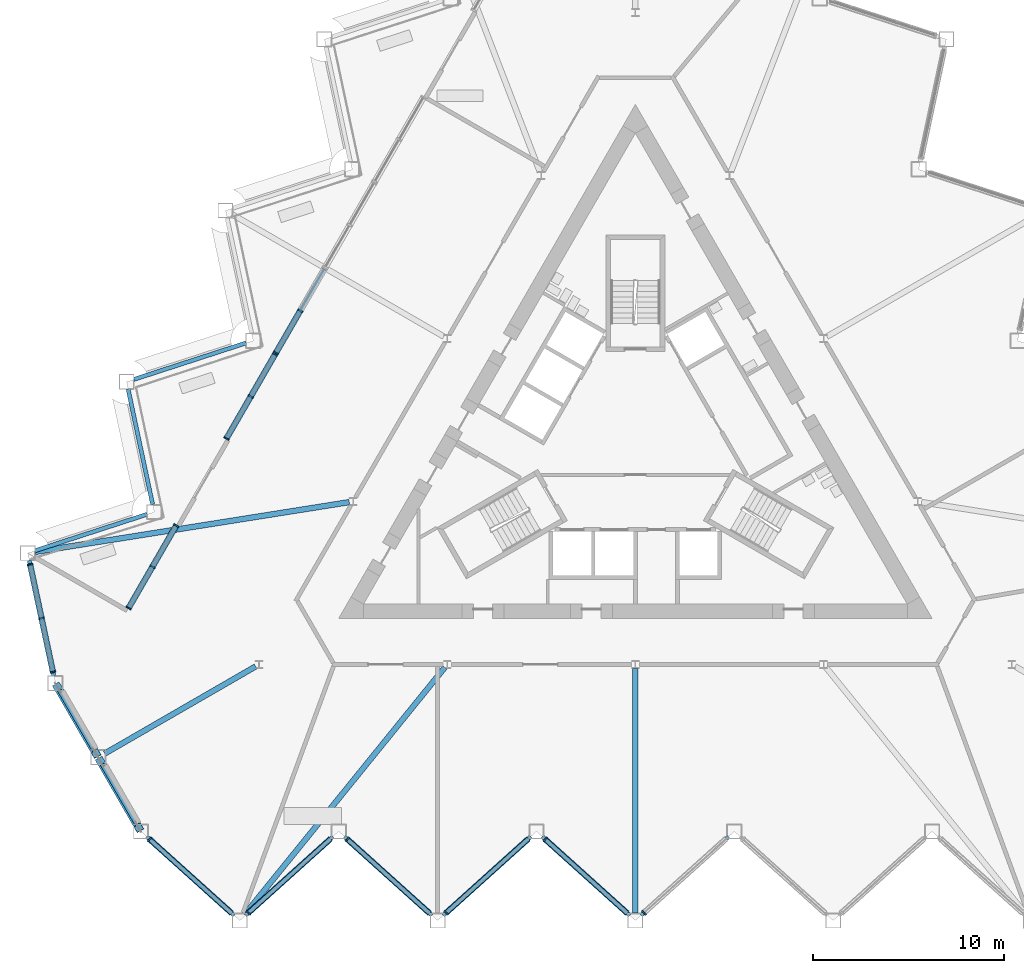
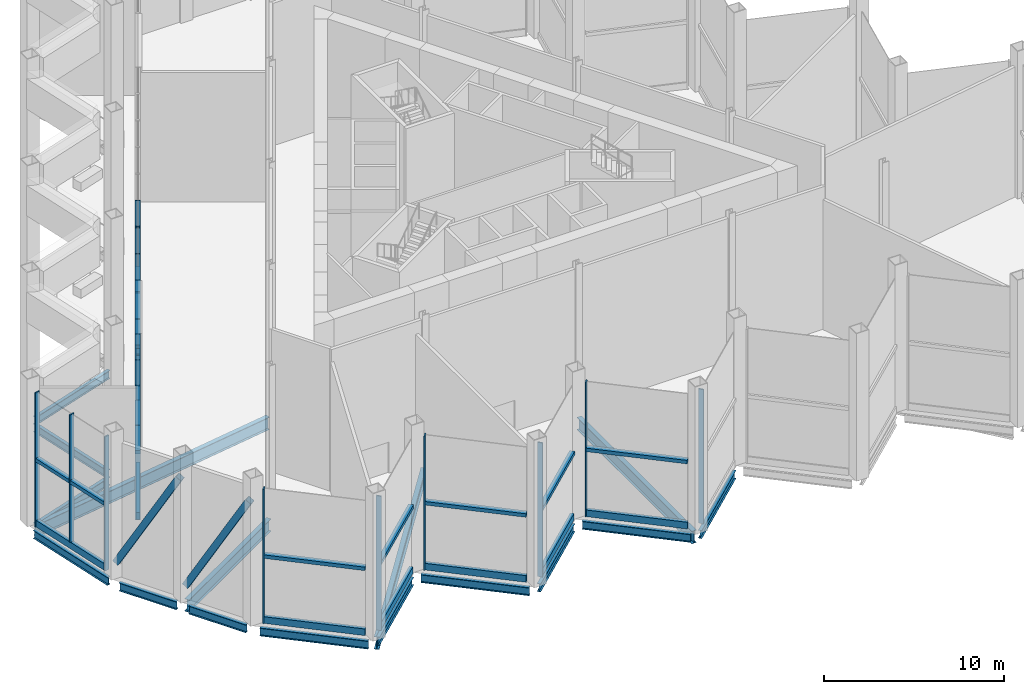
# One storey, part 3 of 18: 40 members, 16 beams, 5 elements without a shape of their own.
"""IFC4 building model written with IfcOpenShell, lengths in metres."""

from ifc_helpers import new_model, si_unit, direction, frame, origin, origin_2d, place, context, subcontext, project, spatial, rectangle, hollow_rectangle, i_section, extrude, material, layer, layer_set, material_profile, profile_set, type_object, element, aggregate, save


model = new_model("IFC4")

# Units and contexts
model_context = context("Model", 3, precision=1e-05, world=origin(), true_north=direction((0.0, 1.0)))
body_context = subcontext(model_context, "Body", "Model", "MODEL_VIEW")
ifc_project = project(units=[si_unit("LENGTHUNIT", "METRE"), si_unit("AREAUNIT", "SQUARE_METRE"), si_unit("VOLUMEUNIT", "CUBIC_METRE"), si_unit("PLANEANGLEUNIT", "RADIAN"), si_unit("MASSUNIT", "GRAM", prefix="KILO")], contexts=[model_context])

# Site, building, storey
site_placement = place(None, origin())
site = spatial("IfcSite", under=ifc_project, at=site_placement, CompositionType="ELEMENT")
building_placement = place(site_placement, origin())
building = spatial("IfcBuilding", under=site, at=building_placement, Name="Cormorant Prow Tower", CompositionType="ELEMENT")
storey_placement = place(building_placement, frame((0.0, 0.0, 216.0)))
storey = spatial("IfcBuildingStorey", under=building, at=storey_placement, Name="L48", CompositionType="ELEMENT", Elevation=216.0)

# Members
ifc_material_1 = material(Name="Structural steel ASTM A500 Gr C", Category="steel")
ifc_material_profile_1 = material_profile(ifc_material_1, hollow_rectangle(XDim=0.406494140625, YDim=0.406494140625, WallThickness=0.01171875, at=origin_2d()), Name="HSS16x16x1/2")
ifc_profile_set_1 = profile_set([ifc_material_profile_1], Name="Structural steel ASTM A500 Gr C")
member_type_1 = type_object("IfcMemberType", Name="Chamfer brace HSS16x16x1/2", PredefinedType="BRACE", material=ifc_profile_set_1)
for number, where, z_axis, x_axis, name in (
    (1, (-30.185791015625, -12.515869140625, 0.98291015625), (0.246225073837, -0.426486367008, 0.870334758453), (0.866031510313, 0.499989423034, 0.0), "Chamfer brace BR2 at WSW00 L48"),
    (2, (-27.950439453125, -16.387451171875, 0.98291015625), (0.246228201085, -0.426462002847, 0.870345812375), (0.866016391555, 0.500015609314, 0.0), "Chamfer brace BR2 at WSW01 L48"),
):
    element("IfcMember", number, at=place(storey_placement, frame(where, z_axis=z_axis, x_axis=x_axis)), inside=storey, type_object=member_type_1, Name=name, PredefinedType="BRACE", context=body_context, shape_type="SweptSolid", body=[
        extrude(hollow_rectangle(XDim=0.406494140625, YDim=0.406494140625, WallThickness=0.01171875, at=origin_2d()), origin(), (0.0, 0.0, 1.0), 8.197998046875),
    ])

# Beams
ifc_material_2 = material(Name="Structural steel ASTM A992 Gr 50", Category="steel")
ifc_material_profile_2 = material_profile(ifc_material_2, i_section(OverallWidth=0.29296875, OverallDepth=0.845703125, WebThickness=0.015380859375, FlangeThickness=0.0244140625, at=origin_2d()), Name="W33x141")
ifc_profile_set_2 = profile_set([ifc_material_profile_2], Name="Structural steel ASTM A992 Gr 50")
beam_type_1 = type_object("IfcBeamType", Name="Radial floor beam W33x141", PredefinedType="BEAM", material=ifc_profile_set_2)
beam_1_placement = place(storey_placement, frame((-14.94384765625, -2.869140625, -0.77294921875), z_axis=(-0.987678058302, -0.156499371084, 0.0), x_axis=(0.156499371084, -0.987678058302, 0.0)))
element("IfcBeam", 3, at=beam_1_placement, inside=storey, type_object=beam_type_1, Name="Radial floor beam FB2 4 L48", PredefinedType="BEAM", context=body_context, shape_type="SweptSolid", body=[
    extrude(i_section(OverallWidth=0.29296875, OverallDepth=0.845703125, WebThickness=0.015380859375, FlangeThickness=0.0244140625, at=origin_2d()), origin(), (0.0, 0.0, 1.0), 16.604736328125),
])
beam_2_placement = place(storey_placement, frame((-19.833251953125, -11.45068359375, -0.77294921875), z_axis=(-0.866023373109, -0.500003517217, 0.0), x_axis=(0.500003517217, -0.866023373109, 0.0)))
element("IfcBeam", 4, at=beam_2_placement, inside=storey, type_object=beam_type_1, Name="Radial floor beam FB2 5 L48", PredefinedType="BEAM", context=body_context, shape_type="SweptSolid", body=[
    extrude(i_section(OverallWidth=0.29296875, OverallDepth=0.845703125, WebThickness=0.015380859375, FlangeThickness=0.0244140625, at=origin_2d()), origin(), (0.0, 0.0, 1.0), 9.09814453125),
])
beam_3_placement = place(storey_placement, frame((-9.95654296875, -11.50732421875, -0.77294921875), z_axis=(-0.629385162657, -0.777093505974, 0.0), x_axis=(0.777093505974, -0.629385162657, 0.0)))
element("IfcBeam", 5, at=beam_3_placement, inside=storey, type_object=beam_type_1, Name="Radial floor beam FB2 6 L48", PredefinedType="BEAM", context=body_context, shape_type="SweptSolid", body=[
    extrude(i_section(OverallWidth=0.29296875, OverallDepth=0.845703125, WebThickness=0.015380859375, FlangeThickness=0.0244140625, at=origin_2d()), origin(), (0.0, 0.0, 1.0), 16.6044921875),
])
beam_4_placement = place(storey_placement, frame((0.0, -11.552734375, -0.77294921875), z_axis=(0.0, -1.0, 0.0), x_axis=(1.0, 0.0, 0.0)))
element("IfcBeam", 6, at=beam_4_placement, inside=storey, type_object=beam_type_1, Name="Radial floor beam FB2 7 L48", PredefinedType="BEAM", context=body_context, shape_type="SweptSolid", body=[
    extrude(i_section(OverallWidth=0.29296875, OverallDepth=0.845703125, WebThickness=0.015380859375, FlangeThickness=0.0244140625, at=origin_2d()), origin(), (0.0, 0.0, 1.0), 12.768798828125),
])

# Curtain wall, members
ifc_material_3 = material(Name="Aluminium 6063-T6", Category="aluminium")
ifc_layer = layer(ifc_material_3, 0.300048828125)
ifc_layer_set = layer_set([ifc_layer], Name="Aluminium 6063-T6")
curtain_wall_type = type_object("IfcCurtainWallType", Name="Sky lobby unitised curtain wall 300", PredefinedType="NOTDEFINED", material=ifc_layer_set)
curtain_wall_1_placement = place(storey_placement, origin())
curtain_wall_1 = element("IfcCurtainWall", 7, at=curtain_wall_1_placement, inside=storey, type_object=curtain_wall_type, Name="Sky lobby curtain wall S00-S09", PredefinedType="NOTDEFINED")
ifc_material_4 = material(Name="Aluminium 6063-T6", Category="aluminium")
ifc_material_profile_3 = material_profile(ifc_material_4, rectangle(XDim=0.300048828125, YDim=0.239990234375, at=origin_2d()), Name="Sky lobby intermediate transom 300x240")
ifc_profile_set_3 = profile_set([ifc_material_profile_3], Name="Aluminium 6063-T6")
member_type_2 = type_object("IfcMemberType", Name="Sky lobby intermediate transom 300x240", PredefinedType="USERDEFINED", material=ifc_profile_set_3)
member_1_placement = place(storey_placement, frame((-25.342041015625, -20.5048828125, 4.550537109375), z_axis=(0.743139569974, -0.669136443141, 0.0), x_axis=(0.669136443141, 0.743139569974, 0.0)))
member_1 = element("IfcMember", 8, at=member_1_placement, type_object=member_type_2, Name="Sky lobby intermediate transom S00-S09", ObjectType="TRANSOM", PredefinedType="USERDEFINED", context=body_context, shape_type="SweptSolid", body=[
    extrude(rectangle(XDim=0.300048828125, YDim=0.239990234375, at=origin_2d()), origin(), (0.0, 0.0, 1.0), 5.733642578125),
])
member_2_placement = place(storey_placement, frame((-20.17724609375, -24.2880859375, 4.550537109375), z_axis=(0.743139569974, 0.669136443141, 0.0), x_axis=(-0.669136443141, 0.743139569974, 0.0)))
member_2 = element("IfcMember", 9, at=member_2_placement, type_object=member_type_2, Name="Sky lobby intermediate transom S00-S09", ObjectType="TRANSOM", PredefinedType="USERDEFINED", context=body_context, shape_type="SweptSolid", body=[
    extrude(rectangle(XDim=0.300048828125, YDim=0.239990234375, at=origin_2d()), origin(), (0.0, 0.0, 1.0), 5.733642578125),
])
member_3_placement = place(storey_placement, frame((-15.0126953125, -20.5048828125, 4.550537109375), z_axis=(0.743158633755, -0.669115270394, 0.0), x_axis=(0.669115270394, 0.743158633755, 0.0)))
member_3 = element("IfcMember", 10, at=member_3_placement, type_object=member_type_2, Name="Sky lobby intermediate transom S00-S09", ObjectType="TRANSOM", PredefinedType="USERDEFINED", context=body_context, shape_type="SweptSolid", body=[
    extrude(rectangle(XDim=0.300048828125, YDim=0.239990234375, at=origin_2d()), origin(), (0.0, 0.0, 1.0), 5.73388671875),
])
member_4_placement = place(storey_placement, frame((-9.847900390625, -24.2880859375, 4.550537109375), z_axis=(0.743139569974, 0.669136443141, 0.0), x_axis=(-0.669136443141, 0.743139569974, 0.0)))
member_4 = element("IfcMember", 11, at=member_4_placement, type_object=member_type_2, Name="Sky lobby intermediate transom S00-S09", ObjectType="TRANSOM", PredefinedType="USERDEFINED", context=body_context, shape_type="SweptSolid", body=[
    extrude(rectangle(XDim=0.300048828125, YDim=0.239990234375, at=origin_2d()), origin(), (0.0, 0.0, 1.0), 5.733642578125),
])
member_5_placement = place(storey_placement, frame((-4.68310546875, -20.5048828125, 4.550537109375), z_axis=(0.743139569974, -0.669136443141, 0.0), x_axis=(0.669136443141, 0.743139569974, 0.0)))
member_5 = element("IfcMember", 12, at=member_5_placement, type_object=member_type_2, Name="Sky lobby intermediate transom S00-S09", ObjectType="TRANSOM", PredefinedType="USERDEFINED", context=body_context, shape_type="SweptSolid", body=[
    extrude(rectangle(XDim=0.300048828125, YDim=0.239990234375, at=origin_2d()), origin(), (0.0, 0.0, 1.0), 5.733642578125),
])

curtain_wall_2_placement = place(storey_placement, origin())
curtain_wall_2 = element("IfcCurtainWall", 13, at=curtain_wall_2_placement, inside=storey, type_object=curtain_wall_type, Name="Sky lobby curtain wall WNW09", PredefinedType="NOTDEFINED")
member_6_placement = place(storey_placement, frame((-31.604248046875, -6.1640625, 4.550537109375), z_axis=(0.207877614461, -0.978154843267, 0.0), x_axis=(0.978154843267, 0.207877614461, 0.0)))
member_6 = element("IfcMember", 14, at=member_6_placement, type_object=member_type_2, Name="Sky lobby intermediate transom WNW09", ObjectType="TRANSOM", PredefinedType="USERDEFINED", context=body_context, shape_type="SweptSolid", body=[
    extrude(rectangle(XDim=0.300048828125, YDim=0.239990234375, at=origin_2d()), origin(), (0.0, 0.0, 1.0), 2.786865234375),
])
member_7_placement = place(storey_placement, frame((-31.008056640625, -8.968505859375, 4.550537109375), z_axis=(0.207895428471, -0.978151057261, 0.0), x_axis=(0.978151057261, 0.207895428471, 0.0)))
member_7 = element("IfcMember", 15, at=member_7_placement, type_object=member_type_2, Name="Sky lobby intermediate transom WNW09", ObjectType="TRANSOM", PredefinedType="USERDEFINED", context=body_context, shape_type="SweptSolid", body=[
    extrude(rectangle(XDim=0.300048828125, YDim=0.239990234375, at=origin_2d()), origin(), (0.0, 0.0, 1.0), 2.78662109375),
])

# Curtain wall, member
curtain_wall_3_placement = place(storey_placement, origin())
curtain_wall_3 = element("IfcCurtainWall", 16, at=curtain_wall_3_placement, inside=storey, type_object=curtain_wall_type, Name="Sky lobby curtain wall loggia WNW05", PredefinedType="NOTDEFINED")
member_8_placement = place(storey_placement, frame((-17.524658203125, 7.08984375, 4.550537109375), z_axis=(-0.499914138526, -0.866074970255, 0.0), x_axis=(0.866074970255, -0.499914138526, 0.0)))
member_8 = element("IfcMember", 17, at=member_8_placement, type_object=member_type_2, Name="Sky lobby intermediate transom loggia WNW05", ObjectType="TRANSOM", PredefinedType="USERDEFINED", context=body_context, shape_type="SweptSolid", body=[
    extrude(rectangle(XDim=0.300048828125, YDim=0.239990234375, at=origin_2d()), origin(), (0.0, 0.0, 1.0), 2.46240234375),
])

# Curtain wall, members
curtain_wall_4_placement = place(storey_placement, origin())
curtain_wall_4 = element("IfcCurtainWall", 18, at=curtain_wall_4_placement, inside=storey, type_object=curtain_wall_type, Name="Sky lobby curtain wall loggia WNW06", PredefinedType="NOTDEFINED")
member_9_placement = place(storey_placement, frame((-18.835693359375, 4.81884765625, 4.550537109375), z_axis=(-0.499988503985, -0.86603204091, 0.0), x_axis=(0.86603204091, -0.499988503985, 0.0)))
member_9 = element("IfcMember", 19, at=member_9_placement, type_object=member_type_2, Name="Sky lobby intermediate transom loggia WNW06", ObjectType="TRANSOM", PredefinedType="USERDEFINED", context=body_context, shape_type="SweptSolid", body=[
    extrude(rectangle(XDim=0.300048828125, YDim=0.239990234375, at=origin_2d()), origin(), (0.0, 0.0, 1.0), 2.46240234375),
])
member_10_placement = place(storey_placement, frame((-20.10693359375, 2.616943359375, 4.550537109375), z_axis=(-0.500031437466, -0.866007252594, 0.0), x_axis=(0.866007252594, -0.500031437466, 0.0)))
member_10 = element("IfcMember", 20, at=member_10_placement, type_object=member_type_2, Name="Sky lobby intermediate transom loggia WNW06", ObjectType="TRANSOM", PredefinedType="USERDEFINED", context=body_context, shape_type="SweptSolid", body=[
    extrude(rectangle(XDim=0.300048828125, YDim=0.239990234375, at=origin_2d()), origin(), (0.0, 0.0, 1.0), 2.462158203125),
])

curtain_wall_5_placement = place(storey_placement, origin())
curtain_wall_5 = element("IfcCurtainWall", 21, at=curtain_wall_5_placement, inside=storey, type_object=curtain_wall_type, Name="Sky lobby curtain wall loggia WNW08", PredefinedType="NOTDEFINED")
member_11_placement = place(storey_placement, frame((-24.00048828125, -4.126708984375, 4.550537109375), z_axis=(-0.49995654735, -0.86605048973, 0.0), x_axis=(0.86605048973, -0.49995654735, 0.0)))
member_11 = element("IfcMember", 22, at=member_11_placement, type_object=member_type_2, Name="Sky lobby intermediate transom loggia WNW08", ObjectType="TRANSOM", PredefinedType="USERDEFINED", context=body_context, shape_type="SweptSolid", body=[
    extrude(rectangle(XDim=0.300048828125, YDim=0.239990234375, at=origin_2d()), origin(), (0.0, 0.0, 1.0), 2.407470703125),
])
member_12_placement = place(storey_placement, frame((-25.244140625, -6.281005859375, 4.550537109375), z_axis=(-0.500000460299, -0.866025138031, 0.0), x_axis=(0.866025138031, -0.500000460299, 0.0)))
member_12 = element("IfcMember", 23, at=member_12_placement, type_object=member_type_2, Name="Sky lobby intermediate transom loggia WNW08", ObjectType="TRANSOM", PredefinedType="USERDEFINED", context=body_context, shape_type="SweptSolid", body=[
    extrude(rectangle(XDim=0.300048828125, YDim=0.239990234375, at=origin_2d()), origin(), (0.0, 0.0, 1.0), 2.4072265625),
])

# Member
ifc_material_5 = material(Name="Aluminium 6063-T6", Category="aluminium")
ifc_material_profile_4 = material_profile(ifc_material_5, rectangle(XDim=0.300048828125, YDim=0.080078125, at=origin_2d()), Name="Sky lobby mullion 80x300")
ifc_profile_set_4 = profile_set([ifc_material_profile_4], Name="Aluminium 6063-T6")
member_type_3 = type_object("IfcMemberType", Name="Sky lobby mullion 80x300", PredefinedType="MULLION", material=ifc_profile_set_4)
member_13_placement = place(storey_placement, frame((-25.371826171875, -20.47802734375, 0.0), z_axis=(0.0, 0.0, 1.0), x_axis=(0.669130536812, 0.743144888098, 0.0)))
member_13 = element("IfcMember", 24, at=member_13_placement, type_object=member_type_3, Name="Sky lobby mullion S00-S09", PredefinedType="MULLION", context=body_context, shape_type="SweptSolid", body=[
    extrude(rectangle(XDim=0.300048828125, YDim=0.080078125, at=origin_2d()), origin(), (0.0, 0.0, 1.0), 9.100830078125),
])

member_14_placement = place(storey_placement, frame((-20.20703125, -24.314697265625, 0.0), z_axis=(0.0, 0.0, 1.0), x_axis=(-0.669130608356, 0.743144823679, 0.0)))
member_14 = element("IfcMember", 25, at=member_14_placement, type_object=member_type_3, Name="Sky lobby mullion S00-S09", PredefinedType="MULLION", context=body_context, shape_type="SweptSolid", body=[
    extrude(rectangle(XDim=0.300048828125, YDim=0.080078125, at=origin_2d()), origin(), (0.0, 0.0, 1.0), 9.100830078125),
])

member_15_placement = place(storey_placement, frame((-15.042236328125, -20.47802734375, 0.0), z_axis=(0.0, 0.0, 1.0), x_axis=(0.669130608356, 0.743144823679, 0.0)))
member_15 = element("IfcMember", 26, at=member_15_placement, type_object=member_type_3, Name="Sky lobby mullion S00-S09", PredefinedType="MULLION", context=body_context, shape_type="SweptSolid", body=[
    extrude(rectangle(XDim=0.300048828125, YDim=0.080078125, at=origin_2d()), origin(), (0.0, 0.0, 1.0), 9.100830078125),
])

member_16_placement = place(storey_placement, frame((-9.877685546875, -24.314697265625, 0.0), z_axis=(0.0, 0.0, 1.0), x_axis=(-0.669130536812, 0.743144888098, 0.0)))
member_16 = element("IfcMember", 27, at=member_16_placement, type_object=member_type_3, Name="Sky lobby mullion S00-S09", PredefinedType="MULLION", context=body_context, shape_type="SweptSolid", body=[
    extrude(rectangle(XDim=0.300048828125, YDim=0.080078125, at=origin_2d()), origin(), (0.0, 0.0, 1.0), 9.100830078125),
])

member_17_placement = place(storey_placement, frame((-4.712890625, -20.47802734375, 0.0), z_axis=(0.0, 0.0, 1.0), x_axis=(0.669130608356, 0.743144823679, 0.0)))
member_17 = element("IfcMember", 28, at=member_17_placement, type_object=member_type_3, Name="Sky lobby mullion S00-S09", PredefinedType="MULLION", context=body_context, shape_type="SweptSolid", body=[
    extrude(rectangle(XDim=0.300048828125, YDim=0.080078125, at=origin_2d()), origin(), (0.0, 0.0, 1.0), 9.100830078125),
])

member_18_placement = place(storey_placement, frame((0.451904296875, -24.314697265625, 0.0), z_axis=(0.0, 0.0, 1.0), x_axis=(-0.669130608356, 0.743144823679, 0.0)))
member_18 = element("IfcMember", 29, at=member_18_placement, type_object=member_type_3, Name="Sky lobby mullion S00-S09", PredefinedType="MULLION", context=body_context, shape_type="SweptSolid", body=[
    extrude(rectangle(XDim=0.300048828125, YDim=0.080078125, at=origin_2d()), origin(), (0.0, 0.0, 1.0), 9.100830078125),
])

member_19_placement = place(storey_placement, frame((-31.612548828125, -6.125, 0.0), z_axis=(0.0, 0.0, 1.0), x_axis=(0.978147589118, 0.207911745465, 0.0)))
member_19 = element("IfcMember", 30, at=member_19_placement, type_object=member_type_3, Name="Sky lobby mullion WNW09", PredefinedType="MULLION", context=body_context, shape_type="SweptSolid", body=[
    extrude(rectangle(XDim=0.300048828125, YDim=0.080078125, at=origin_2d()), origin(), (0.0, 0.0, 1.0), 9.100830078125),
])

member_20_placement = place(storey_placement, frame((-31.0166015625, -8.92919921875, 0.449951171875), z_axis=(0.0, 0.0, 1.0), x_axis=(0.978147589118, 0.207911745465, 0.0)))
member_20 = element("IfcMember", 31, at=member_20_placement, type_object=member_type_3, Name="Sky lobby mullion WNW09", PredefinedType="MULLION", context=body_context, shape_type="SweptSolid", body=[
    extrude(rectangle(XDim=0.300048828125, YDim=0.080078125, at=origin_2d()), origin(), (0.0, 0.0, 1.0), 8.65087890625),
])

member_21_placement = place(storey_placement, frame((-30.42041015625, -11.733642578125, 0.0), z_axis=(0.0, 0.0, 1.0), x_axis=(0.978147589118, 0.207911745465, 0.0)))
member_21 = element("IfcMember", 32, at=member_21_placement, type_object=member_type_3, Name="Sky lobby mullion WNW09", PredefinedType="MULLION", context=body_context, shape_type="SweptSolid", body=[
    extrude(rectangle(XDim=0.300048828125, YDim=0.080078125, at=origin_2d()), origin(), (0.0, 0.0, 1.0), 9.100830078125),
])

member_22_placement = place(storey_placement, frame((-17.504638671875, 7.12451171875, 0.449951171875), z_axis=(0.0, 0.0, 1.0), x_axis=(0.866025401952, -0.500000003174, 0.0)))
member_22 = element("IfcMember", 33, at=member_22_placement, type_object=member_type_3, Name="Sky lobby mullion loggia WNW05", PredefinedType="MULLION", context=body_context, shape_type="SweptSolid", body=[
    extrude(rectangle(XDim=0.300048828125, YDim=0.080078125, at=origin_2d()), origin(), (0.0, 0.0, 1.0), 8.65087890625),
])

member_23_placement = place(storey_placement, frame((-18.775634765625, 4.922607421875, 0.0), z_axis=(0.0, 0.0, 1.0), x_axis=(0.866025401952, -0.500000003174, 0.0)))
member_23 = element("IfcMember", 34, at=member_23_placement, type_object=member_type_3, Name="Sky lobby mullion loggia WNW05", PredefinedType="MULLION", context=body_context, shape_type="SweptSolid", body=[
    extrude(rectangle(XDim=0.300048828125, YDim=0.080078125, at=origin_2d()), origin(), (0.0, 0.0, 1.0), 9.100830078125),
])

member_24_placement = place(storey_placement, frame((-18.815673828125, 4.853271484375, 0.0), z_axis=(0.0, 0.0, 1.0), x_axis=(0.866025401952, -0.500000003174, 0.0)))
member_24 = element("IfcMember", 35, at=member_24_placement, type_object=member_type_3, Name="Sky lobby mullion loggia WNW06", PredefinedType="MULLION", context=body_context, shape_type="SweptSolid", body=[
    extrude(rectangle(XDim=0.300048828125, YDim=0.080078125, at=origin_2d()), origin(), (0.0, 0.0, 1.0), 9.100830078125),
])

member_25_placement = place(storey_placement, frame((-20.0869140625, 2.651611328125, 0.449951171875), z_axis=(0.0, 0.0, 1.0), x_axis=(0.866025401952, -0.500000003174, 0.0)))
member_25 = element("IfcMember", 36, at=member_25_placement, type_object=member_type_3, Name="Sky lobby mullion loggia WNW06", PredefinedType="MULLION", context=body_context, shape_type="SweptSolid", body=[
    extrude(rectangle(XDim=0.300048828125, YDim=0.080078125, at=origin_2d()), origin(), (0.0, 0.0, 1.0), 8.65087890625),
])

member_26_placement = place(storey_placement, frame((-21.358154296875, 0.449951171875, 0.0), z_axis=(0.0, 0.0, 1.0), x_axis=(0.866025401952, -0.500000003174, 0.0)))
member_26 = element("IfcMember", 37, at=member_26_placement, type_object=member_type_3, Name="Sky lobby mullion loggia WNW06", PredefinedType="MULLION", context=body_context, shape_type="SweptSolid", body=[
    extrude(rectangle(XDim=0.300048828125, YDim=0.080078125, at=origin_2d()), origin(), (0.0, 0.0, 1.0), 9.100830078125),
])

member_27_placement = place(storey_placement, frame((-23.98046875, -4.09228515625, 0.0), z_axis=(0.0, 0.0, 1.0), x_axis=(0.866025401952, -0.500000003174, 0.0)))
member_27 = element("IfcMember", 38, at=member_27_placement, type_object=member_type_3, Name="Sky lobby mullion loggia WNW08", PredefinedType="MULLION", context=body_context, shape_type="SweptSolid", body=[
    extrude(rectangle(XDim=0.300048828125, YDim=0.080078125, at=origin_2d()), origin(), (0.0, 0.0, 1.0), 9.100830078125),
])

member_28_placement = place(storey_placement, frame((-25.22412109375, -6.246337890625, 0.449951171875), z_axis=(0.0, 0.0, 1.0), x_axis=(0.866025401952, -0.500000003174, 0.0)))
member_28 = element("IfcMember", 39, at=member_28_placement, type_object=member_type_3, Name="Sky lobby mullion loggia WNW08", PredefinedType="MULLION", context=body_context, shape_type="SweptSolid", body=[
    extrude(rectangle(XDim=0.300048828125, YDim=0.080078125, at=origin_2d()), origin(), (0.0, 0.0, 1.0), 8.65087890625),
])

member_29_placement = place(storey_placement, frame((-26.4677734375, -8.400390625, 0.0), z_axis=(0.0, 0.0, 1.0), x_axis=(0.866025401952, -0.500000003174, 0.0)))
member_29 = element("IfcMember", 40, at=member_29_placement, type_object=member_type_3, Name="Sky lobby mullion loggia WNW08", PredefinedType="MULLION", context=body_context, shape_type="SweptSolid", body=[
    extrude(rectangle(XDim=0.300048828125, YDim=0.080078125, at=origin_2d()), origin(), (0.0, 0.0, 1.0), 9.100830078125),
])

ifc_material_6 = material(Name="Terracotta", Category="masonry")
ifc_material_profile_5 = material_profile(ifc_material_6, rectangle(XDim=0.219970703125, YDim=0.449951171875, at=origin_2d()), Name="Sky lobby terracotta spandrel rail 220x450")
ifc_profile_set_5 = profile_set([ifc_material_profile_5], Name="Terracotta")
member_type_4 = type_object("IfcMemberType", Name="Sky lobby terracotta spandrel rail 220x450", PredefinedType="USERDEFINED", material=ifc_profile_set_5)
member_30_placement = place(storey_placement, frame((-25.342041015625, -20.5048828125, 0.22509765625), z_axis=(0.743139569974, -0.669136443141, 0.0), x_axis=(0.669136443141, 0.743139569974, 0.0)))
member_30 = element("IfcMember", 41, at=member_30_placement, type_object=member_type_4, Name="Sky lobby spandrel rail S00-S09", ObjectType="TRANSOM", PredefinedType="USERDEFINED", context=body_context, shape_type="SweptSolid", body=[
    extrude(rectangle(XDim=0.219970703125, YDim=0.449951171875, at=origin_2d()), origin(), (0.0, 0.0, 1.0), 5.733642578125),
])

member_31_placement = place(storey_placement, frame((-20.17724609375, -24.2880859375, 0.22509765625), z_axis=(0.743139569974, 0.669136443141, 0.0), x_axis=(-0.669136443141, 0.743139569974, 0.0)))
member_31 = element("IfcMember", 42, at=member_31_placement, type_object=member_type_4, Name="Sky lobby spandrel rail S00-S09", ObjectType="TRANSOM", PredefinedType="USERDEFINED", context=body_context, shape_type="SweptSolid", body=[
    extrude(rectangle(XDim=0.219970703125, YDim=0.449951171875, at=origin_2d()), origin(), (0.0, 0.0, 1.0), 5.733642578125),
])

member_32_placement = place(storey_placement, frame((-15.0126953125, -20.5048828125, 0.22509765625), z_axis=(0.743158633755, -0.669115270394, 0.0), x_axis=(0.669115270394, 0.743158633755, 0.0)))
member_32 = element("IfcMember", 43, at=member_32_placement, type_object=member_type_4, Name="Sky lobby spandrel rail S00-S09", ObjectType="TRANSOM", PredefinedType="USERDEFINED", context=body_context, shape_type="SweptSolid", body=[
    extrude(rectangle(XDim=0.219970703125, YDim=0.449951171875, at=origin_2d()), origin(), (0.0, 0.0, 1.0), 5.73388671875),
])

member_33_placement = place(storey_placement, frame((-9.847900390625, -24.2880859375, 0.22509765625), z_axis=(0.743139569974, 0.669136443141, 0.0), x_axis=(-0.669136443141, 0.743139569974, 0.0)))
member_33 = element("IfcMember", 44, at=member_33_placement, type_object=member_type_4, Name="Sky lobby spandrel rail S00-S09", ObjectType="TRANSOM", PredefinedType="USERDEFINED", context=body_context, shape_type="SweptSolid", body=[
    extrude(rectangle(XDim=0.219970703125, YDim=0.449951171875, at=origin_2d()), origin(), (0.0, 0.0, 1.0), 5.733642578125),
])

member_34_placement = place(storey_placement, frame((-4.68310546875, -20.5048828125, 0.22509765625), z_axis=(0.743139569974, -0.669136443141, 0.0), x_axis=(0.669136443141, 0.743139569974, 0.0)))
member_34 = element("IfcMember", 45, at=member_34_placement, type_object=member_type_4, Name="Sky lobby spandrel rail S00-S09", ObjectType="TRANSOM", PredefinedType="USERDEFINED", context=body_context, shape_type="SweptSolid", body=[
    extrude(rectangle(XDim=0.219970703125, YDim=0.449951171875, at=origin_2d()), origin(), (0.0, 0.0, 1.0), 5.733642578125),
])

aggregate(curtain_wall_1, [member_13, member_30, member_1, member_14, member_31, member_2, member_15, member_32, member_3, member_16, member_33, member_4, member_17, member_34, member_5, member_18])

member_35_placement = place(storey_placement, frame((-31.604248046875, -6.1640625, 0.22509765625), z_axis=(0.207918663312, -0.978146118658, 0.0), x_axis=(0.978146118658, 0.207918663312, 0.0)))
member_35 = element("IfcMember", 46, at=member_35_placement, type_object=member_type_4, Name="Sky lobby spandrel rail WNW09", ObjectType="TRANSOM", PredefinedType="USERDEFINED", context=body_context, shape_type="SweptSolid", body=[
    extrude(rectangle(XDim=0.219970703125, YDim=0.449951171875, at=origin_2d()), origin(), (0.0, 0.0, 1.0), 5.65380859375),
])

aggregate(curtain_wall_2, [member_19, member_20, member_21, member_35, member_6, member_7])

member_36_placement = place(storey_placement, frame((-16.25341796875, 9.29150390625, 0.22509765625), z_axis=(-0.49997441339, -0.866040175716, 0.0), x_axis=(0.866040175716, -0.49997441339, 0.0)))
member_36 = element("IfcMember", 47, at=member_36_placement, type_object=member_type_4, Name="Sky lobby spandrel rail loggia WNW05", ObjectType="TRANSOM", PredefinedType="USERDEFINED", context=body_context, shape_type="SweptSolid", body=[
    extrude(rectangle(XDim=0.219970703125, YDim=0.449951171875, at=origin_2d()), origin(), (0.0, 0.0, 1.0), 5.004638671875),
])

aggregate(curtain_wall_3, [member_22, member_23, member_36, member_8])

member_37_placement = place(storey_placement, frame((-18.835693359375, 4.81884765625, 0.22509765625), z_axis=(-0.500011000363, -0.866019052629, 0.0), x_axis=(0.866019052629, -0.500011000363, 0.0)))
member_37 = element("IfcMember", 48, at=member_37_placement, type_object=member_type_4, Name="Sky lobby spandrel rail loggia WNW06", ObjectType="TRANSOM", PredefinedType="USERDEFINED", context=body_context, shape_type="SweptSolid", body=[
    extrude(rectangle(XDim=0.219970703125, YDim=0.449951171875, at=origin_2d()), origin(), (0.0, 0.0, 1.0), 5.0048828125),
])

aggregate(curtain_wall_4, [member_24, member_25, member_26, member_37, member_9, member_10])

member_38_placement = place(storey_placement, frame((-24.00048828125, -4.126708984375, 0.22509765625), z_axis=(-0.499980071345, -0.866036909293, 0.0), x_axis=(0.866036909293, -0.499980071345, 0.0)))
member_38 = element("IfcMember", 49, at=member_38_placement, type_object=member_type_4, Name="Sky lobby spandrel rail loggia WNW08", ObjectType="TRANSOM", PredefinedType="USERDEFINED", context=body_context, shape_type="SweptSolid", body=[
    extrude(rectangle(XDim=0.219970703125, YDim=0.449951171875, at=origin_2d()), origin(), (0.0, 0.0, 1.0), 4.894775390625),
])

aggregate(curtain_wall_5, [member_27, member_28, member_29, member_38, member_11, member_12])

# Beams
ifc_material_7 = material(Name="Structural steel ASTM A992 Gr 50", Category="steel")
ifc_material_profile_6 = material_profile(ifc_material_7, i_section(OverallWidth=0.2138671875, OverallDepth=0.549072265625, WebThickness=0.0146484375, FlangeThickness=0.023681640625, at=origin_2d()), Name="W21x93")
ifc_profile_set_6 = profile_set([ifc_material_profile_6], Name="Structural steel ASTM A992 Gr 50")
beam_type_2 = type_object("IfcBeamType", Name="Spandrel beam W21x93", PredefinedType="SPANDREL", material=ifc_profile_set_6)
beam_5_placement = place(storey_placement, frame((-25.5263671875, -20.3388671875, -0.62451171875), z_axis=(0.743155953285, -0.669118247469, 0.0), x_axis=(0.669118247469, 0.743155953285, 0.0)))
element("IfcBeam", 50, at=beam_5_placement, inside=storey, type_object=beam_type_2, Name="Spandrel beam SB2 S00-S01 L48", PredefinedType="SPANDREL", context=body_context, shape_type="SweptSolid", body=[
    extrude(i_section(OverallWidth=0.2138671875, OverallDepth=0.549072265625, WebThickness=0.0146484375, FlangeThickness=0.023681640625, at=origin_2d()), origin(), (0.0, 0.0, 1.0), 6.14990234375),
])
for number, where, z_axis, x_axis, name in (
    (51, (-20.361572265625, -24.453857421875, -0.62451171875), (0.743138178716, 0.669137988261, 0.0), (-0.669137988261, 0.743138178716, 0.0), "Spandrel beam SB2 S01-S02 L48"),
    (52, (-15.19677734375, -20.3388671875, -0.62451171875), (0.743138178716, -0.669137988261, 0.0), (0.669137988261, 0.743138178716, 0.0), "Spandrel beam SB2 S02-S03 L48"),
):
    element("IfcBeam", number, at=place(storey_placement, frame(where, z_axis=z_axis, x_axis=x_axis)), inside=storey, type_object=beam_type_2, Name=name, PredefinedType="SPANDREL", context=body_context, shape_type="SweptSolid", body=[
        extrude(i_section(OverallWidth=0.2138671875, OverallDepth=0.549072265625, WebThickness=0.0146484375, FlangeThickness=0.023681640625, at=origin_2d()), origin(), (0.0, 0.0, 1.0), 6.149658203125),
    ])
beam_6_placement = place(storey_placement, frame((-10.0322265625, -24.453857421875, -0.62451171875), z_axis=(0.743155953285, 0.669118247469, 0.0), x_axis=(-0.669118247469, 0.743155953285, 0.0)))
element("IfcBeam", 53, at=beam_6_placement, inside=storey, type_object=beam_type_2, Name="Spandrel beam SB2 S03-S04 L48", PredefinedType="SPANDREL", context=body_context, shape_type="SweptSolid", body=[
    extrude(i_section(OverallWidth=0.2138671875, OverallDepth=0.549072265625, WebThickness=0.0146484375, FlangeThickness=0.023681640625, at=origin_2d()), origin(), (0.0, 0.0, 1.0), 6.14990234375),
])
for number, where, z_axis, x_axis, name in (
    (54, (-4.867431640625, -20.3388671875, -0.62451171875), (0.743138178716, -0.669137988261, 0.0), (0.669137988261, 0.743138178716, 0.0), "Spandrel beam SB2 S04-S05 L48"),
    (55, (0.29736328125, -24.453857421875, -0.62451171875), (0.743138178716, 0.669137988261, 0.0), (-0.669137988261, 0.743138178716, 0.0), "Spandrel beam SB2 S05-S06 L48"),
):
    element("IfcBeam", number, at=place(storey_placement, frame(where, z_axis=z_axis, x_axis=x_axis)), inside=storey, type_object=beam_type_2, Name=name, PredefinedType="SPANDREL", context=body_context, shape_type="SweptSolid", body=[
        extrude(i_section(OverallWidth=0.2138671875, OverallDepth=0.549072265625, WebThickness=0.0146484375, FlangeThickness=0.023681640625, at=origin_2d()), origin(), (0.0, 0.0, 1.0), 6.149658203125),
    ])
beam_7_placement = place(storey_placement, frame((-20.344970703125, 5.439208984375, -0.62451171875), z_axis=(-0.951057696564, -0.309013361859, 0.0), x_axis=(0.309013361859, -0.951057696564, 0.0)))
element("IfcBeam", 56, at=beam_7_placement, inside=storey, type_object=beam_type_2, Name="Spandrel beam SB2 WNW06-WNW07 L48", PredefinedType="SPANDREL", context=body_context, shape_type="SweptSolid", body=[
    extrude(i_section(OverallWidth=0.2138671875, OverallDepth=0.549072265625, WebThickness=0.0146484375, FlangeThickness=0.023681640625, at=origin_2d()), origin(), (0.0, 0.0, 1.0), 6.14990234375),
])
beam_8_placement = place(storey_placement, frame((-26.490966796875, 3.02392578125, -0.62451171875), z_axis=(0.207904811195, -0.978149063018, 0.0), x_axis=(0.978149063018, 0.207904811195, 0.0)))
element("IfcBeam", 57, at=beam_8_placement, inside=storey, type_object=beam_type_2, Name="Spandrel beam SB2 WNW07-WNW08 L48", PredefinedType="SPANDREL", context=body_context, shape_type="SweptSolid", body=[
    extrude(i_section(OverallWidth=0.2138671875, OverallDepth=0.549072265625, WebThickness=0.0146484375, FlangeThickness=0.023681640625, at=origin_2d()), origin(), (0.0, 0.0, 1.0), 6.149658203125),
])
beam_9_placement = place(storey_placement, frame((-25.509765625, -3.50634765625, -0.62451171875), z_axis=(-0.951057696564, -0.309013361859, 0.0), x_axis=(0.309013361859, -0.951057696564, 0.0)))
element("IfcBeam", 58, at=beam_9_placement, inside=storey, type_object=beam_type_2, Name="Spandrel beam SB2 WNW08-WNW09 L48", PredefinedType="SPANDREL", context=body_context, shape_type="SweptSolid", body=[
    extrude(i_section(OverallWidth=0.2138671875, OverallDepth=0.549072265625, WebThickness=0.0146484375, FlangeThickness=0.023681640625, at=origin_2d()), origin(), (0.0, 0.0, 1.0), 6.14990234375),
])
beam_10_placement = place(storey_placement, frame((-31.65576171875, -5.921630859375, -0.62451171875), z_axis=(0.207904811195, -0.978149063018, 0.0), x_axis=(0.978149063018, 0.207904811195, 0.0)))
element("IfcBeam", 59, at=beam_10_placement, inside=storey, type_object=beam_type_2, Name="Spandrel beam SB2 WNW09-WSW00 L48", PredefinedType="SPANDREL", context=body_context, shape_type="SweptSolid", body=[
    extrude(i_section(OverallWidth=0.2138671875, OverallDepth=0.549072265625, WebThickness=0.0146484375, FlangeThickness=0.023681640625, at=origin_2d()), origin(), (0.0, 0.0, 1.0), 6.149658203125),
])
for number, where, z_axis, x_axis, name in (
    (60, (-30.093994140625, -12.674560546875, -0.62451171875), (0.499994986164, -0.866028298505, 0.0), (0.866028298505, 0.499994986164, 0.0), "Spandrel beam SB2 WSW00-WSW01 L48"),
    (61, (-27.85888671875, -16.546142578125, -0.62451171875), (0.499994986164, -0.866028298505, 0.0), (0.866028298505, 0.499994986164, 0.0), "Spandrel beam SB2 WSW01-S00 L48"),
):
    element("IfcBeam", number, at=place(storey_placement, frame(where, z_axis=z_axis, x_axis=x_axis)), inside=storey, type_object=beam_type_2, Name=name, PredefinedType="SPANDREL", context=body_context, shape_type="SweptSolid", body=[
        extrude(i_section(OverallWidth=0.2138671875, OverallDepth=0.549072265625, WebThickness=0.0146484375, FlangeThickness=0.023681640625, at=origin_2d()), origin(), (0.0, 0.0, 1.0), 3.67041015625),
    ])

save(model, "model.ifc")
